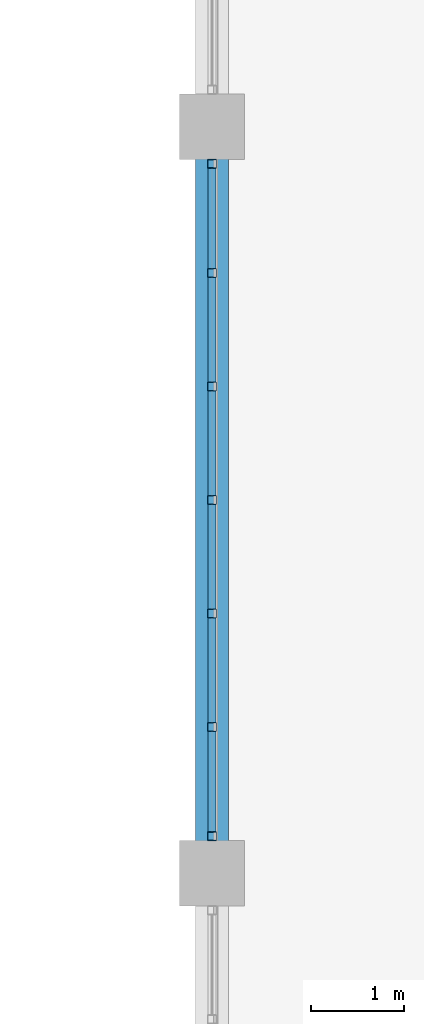
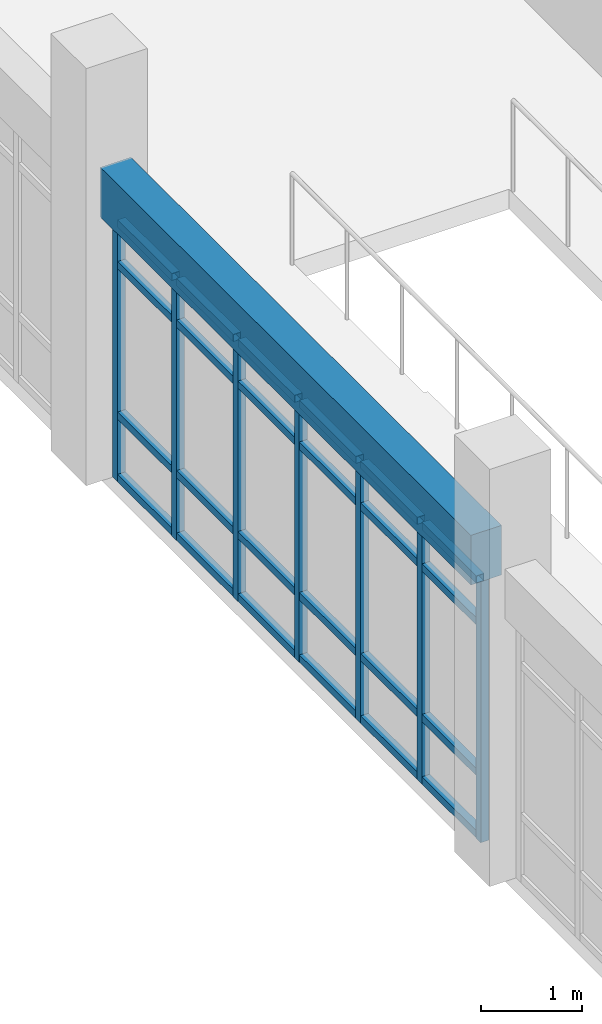
# One storey, part 93 of 159: 31 members, 1 beam, 1 element without a shape of its own.
"""IFC4 building model written with IfcOpenShell, lengths in metres."""

from ifc_helpers import new_model, si_unit, direction, frame, origin, origin_2d, place, context, subcontext, project, spatial, rectangle, hollow_rectangle, extrude, material, material_profile, profile_set, type_object, element, aggregate, save


model = new_model("IFC4")

# Units and contexts
model_context = context("Model", 3, precision=1e-05, world=origin(), true_north=direction((0.0, 1.0)))
body_context = subcontext(model_context, "Body", "Model", "MODEL_VIEW")
ifc_project = project(units=[si_unit("LENGTHUNIT", "METRE"), si_unit("AREAUNIT", "SQUARE_METRE"), si_unit("VOLUMEUNIT", "CUBIC_METRE"), si_unit("PLANEANGLEUNIT", "RADIAN"), si_unit("MASSUNIT", "GRAM", prefix="KILO")], contexts=[model_context])

# Site, building, storey
site_placement = place(None, origin())
site = spatial("IfcSite", under=ifc_project, at=site_placement, CompositionType="ELEMENT")
building_placement = place(site_placement, origin())
building = spatial("IfcBuilding", under=site, at=building_placement, Name="Celadon Cloister-Ring School", CompositionType="ELEMENT")
storey_placement = place(building_placement, frame((0.0, 0.0, 4.5)))
storey = spatial("IfcBuildingStorey", under=building, at=storey_placement, Name="L01", CompositionType="ELEMENT", Elevation=4.5)

# Beam
ifc_material_1 = material(Name="Concrete C35/45", Category="concrete")
ifc_material_profile_1 = material_profile(ifc_material_1, rectangle(XDim=0.35009765625, YDim=0.60009765625, at=origin_2d()), Name="RC350X600")
ifc_profile_set_1 = profile_set([ifc_material_profile_1], Name="Concrete C35/45")
beam_type = type_object("IfcBeamType", Name="BT-02", PredefinedType="BEAM", material=ifc_profile_set_1)
beam_placement = place(storey_placement, frame((142.0, 82.324951171875, 3.47998046875), z_axis=(0.0, 1.0, 0.0), x_axis=(-1.0, 0.0, 0.0)))
element("IfcBeam", 1, at=beam_placement, inside=storey, type_object=beam_type, Name="Beam 1170", PredefinedType="BEAM", context=body_context, shape_type="SweptSolid", body=[
    extrude(rectangle(XDim=0.35009765625, YDim=0.60009765625, at=origin_2d()), origin(), (0.0, 0.0, 1.0), 7.35009765625),
])

# Curtain wall, members
ifc_material_2 = material(Name="Aluminium EN AW-6063 T6", Category="aluminium")
curtain_wall_type = type_object("IfcCurtainWallType", Name="CW-09", PredefinedType="USERDEFINED", material=ifc_material_2)
curtain_wall_placement = place(storey_placement, origin())
curtain_wall = element("IfcCurtainWall", 2, at=curtain_wall_placement, inside=storey, type_object=curtain_wall_type, Name="Curtain Wall 0185", ObjectType="CURTAIN WALL", PredefinedType="USERDEFINED")
ifc_material_3 = material(Name="Aluminium EN AW-6063 T6", Category="aluminium")
ifc_material_profile_2 = material_profile(ifc_material_3, hollow_rectangle(XDim=0.094970703125, YDim=0.094970703125, WallThickness=0.00390625, at=origin_2d()), Name="RHS95X95X4")
ifc_profile_set_2 = profile_set([ifc_material_profile_2], Name="Aluminium EN AW-6063 T6")
member_type_1 = type_object("IfcMemberType", Name="CM-02", PredefinedType="MULLION", material=ifc_profile_set_2)
member_1_placement = place(storey_placement, frame((142.0, 82.3974609375, 0.0), z_axis=(0.0, 0.0, 1.0), x_axis=(-1.0, 0.0, 0.0)))
member_1 = element("IfcMember", 3, at=member_1_placement, type_object=member_type_1, Name="CW-09 mullion 1", PredefinedType="MULLION", context=body_context, shape_type="SweptSolid", body=[
    extrude(hollow_rectangle(XDim=0.094970703125, YDim=0.094970703125, WallThickness=0.00390625, at=origin_2d()), origin(), (0.0, 0.0, 1.0), 3.172119140625),
])
member_2_placement = place(storey_placement, frame((142.0, 83.566650390625, 0.0), z_axis=(0.0, 0.0, 1.0), x_axis=(-1.0, 0.0, 0.0)))
member_2 = element("IfcMember", 4, at=member_2_placement, type_object=member_type_1, Name="CW-09 mullion 2", PredefinedType="MULLION", context=body_context, shape_type="SweptSolid", body=[
    extrude(hollow_rectangle(XDim=0.094970703125, YDim=0.094970703125, WallThickness=0.00390625, at=origin_2d()), origin(), (0.0, 0.0, 1.0), 3.172119140625),
])
member_3_placement = place(storey_placement, frame((142.0, 84.783447265625, 0.0), z_axis=(0.0, 0.0, 1.0), x_axis=(-1.0, 0.0, 0.0)))
member_3 = element("IfcMember", 5, at=member_3_placement, type_object=member_type_1, Name="CW-09 mullion 3", PredefinedType="MULLION", context=body_context, shape_type="SweptSolid", body=[
    extrude(hollow_rectangle(XDim=0.094970703125, YDim=0.094970703125, WallThickness=0.00390625, at=origin_2d()), origin(), (0.0, 0.0, 1.0), 3.172119140625),
])
member_4_placement = place(storey_placement, frame((142.0, 86.0, 0.0), z_axis=(0.0, 0.0, 1.0), x_axis=(-1.0, 0.0, 0.0)))
member_4 = element("IfcMember", 6, at=member_4_placement, type_object=member_type_1, Name="CW-09 mullion 4", PredefinedType="MULLION", context=body_context, shape_type="SweptSolid", body=[
    extrude(hollow_rectangle(XDim=0.094970703125, YDim=0.094970703125, WallThickness=0.00390625, at=origin_2d()), origin(), (0.0, 0.0, 1.0), 3.172119140625),
])
member_5_placement = place(storey_placement, frame((142.0, 87.216552734375, 0.0), z_axis=(0.0, 0.0, 1.0), x_axis=(-1.0, 0.0, 0.0)))
member_5 = element("IfcMember", 7, at=member_5_placement, type_object=member_type_1, Name="CW-09 mullion 5", PredefinedType="MULLION", context=body_context, shape_type="SweptSolid", body=[
    extrude(hollow_rectangle(XDim=0.094970703125, YDim=0.094970703125, WallThickness=0.00390625, at=origin_2d()), origin(), (0.0, 0.0, 1.0), 3.172119140625),
])
member_6_placement = place(storey_placement, frame((142.0, 88.433349609375, 0.0), z_axis=(0.0, 0.0, 1.0), x_axis=(-1.0, 0.0, 0.0)))
member_6 = element("IfcMember", 8, at=member_6_placement, type_object=member_type_1, Name="CW-09 mullion 6", PredefinedType="MULLION", context=body_context, shape_type="SweptSolid", body=[
    extrude(hollow_rectangle(XDim=0.094970703125, YDim=0.094970703125, WallThickness=0.00390625, at=origin_2d()), origin(), (0.0, 0.0, 1.0), 3.172119140625),
])
member_7_placement = place(storey_placement, frame((142.0, 89.6025390625, 0.0), z_axis=(0.0, 0.0, 1.0), x_axis=(-1.0, 0.0, 0.0)))
member_7 = element("IfcMember", 9, at=member_7_placement, type_object=member_type_1, Name="CW-09 mullion 7", PredefinedType="MULLION", context=body_context, shape_type="SweptSolid", body=[
    extrude(hollow_rectangle(XDim=0.094970703125, YDim=0.094970703125, WallThickness=0.00390625, at=origin_2d()), origin(), (0.0, 0.0, 1.0), 3.172119140625),
])
ifc_material_4 = material(Name="Aluminium EN AW-6063 T6", Category="aluminium")
ifc_material_profile_3 = material_profile(ifc_material_4, hollow_rectangle(XDim=0.090087890625, YDim=0.090087890625, WallThickness=0.00390625, at=origin_2d()), Name="RHS90X90X4")
ifc_profile_set_3 = profile_set([ifc_material_profile_3], Name="Aluminium EN AW-6063 T6")
member_type_2 = type_object("IfcMemberType", Name="CTM-02", PredefinedType="USERDEFINED", material=ifc_profile_set_3)
member_8_placement = place(storey_placement, frame((142.0, 82.445068359375, 0.044921875), z_axis=(0.0, 1.0, 0.0), x_axis=(-1.0, 0.0, 0.0)))
member_8 = element("IfcMember", 10, at=member_8_placement, type_object=member_type_2, Name="CW-09 transom 1.1", ObjectType="TRANSOM", PredefinedType="USERDEFINED", context=body_context, shape_type="SweptSolid", body=[
    extrude(hollow_rectangle(XDim=0.090087890625, YDim=0.090087890625, WallThickness=0.00390625, at=origin_2d()), origin(), (0.0, 0.0, 1.0), 1.07421875),
])
member_9_placement = place(storey_placement, frame((142.0, 82.445068359375, 0.800048828125), z_axis=(0.0, 1.0, 0.0), x_axis=(-1.0, 0.0, 0.0)))
member_9 = element("IfcMember", 11, at=member_9_placement, type_object=member_type_2, Name="CW-09 transom 1.2", ObjectType="TRANSOM", PredefinedType="USERDEFINED", context=body_context, shape_type="SweptSolid", body=[
    extrude(hollow_rectangle(XDim=0.090087890625, YDim=0.090087890625, WallThickness=0.00390625, at=origin_2d()), origin(), (0.0, 0.0, 1.0), 1.07421875),
])
member_10_placement = place(storey_placement, frame((142.0, 82.445068359375, 2.6220703125), z_axis=(0.0, 1.0, 0.0), x_axis=(-1.0, 0.0, 0.0)))
member_10 = element("IfcMember", 12, at=member_10_placement, type_object=member_type_2, Name="CW-09 transom 1.3", ObjectType="TRANSOM", PredefinedType="USERDEFINED", context=body_context, shape_type="SweptSolid", body=[
    extrude(hollow_rectangle(XDim=0.090087890625, YDim=0.090087890625, WallThickness=0.00390625, at=origin_2d()), origin(), (0.0, 0.0, 1.0), 1.07421875),
])
member_11_placement = place(storey_placement, frame((142.0, 82.445068359375, 3.126953125), z_axis=(0.0, 1.0, 0.0), x_axis=(-1.0, 0.0, 0.0)))
member_11 = element("IfcMember", 13, at=member_11_placement, type_object=member_type_2, Name="CW-09 transom 1.4", ObjectType="TRANSOM", PredefinedType="USERDEFINED", context=body_context, shape_type="SweptSolid", body=[
    extrude(hollow_rectangle(XDim=0.090087890625, YDim=0.090087890625, WallThickness=0.00390625, at=origin_2d()), origin(), (0.0, 0.0, 1.0), 1.07421875),
])
member_12_placement = place(storey_placement, frame((142.0, 83.6142578125, 0.044921875), z_axis=(0.0, 1.0, 0.0), x_axis=(-1.0, 0.0, 0.0)))
member_12 = element("IfcMember", 14, at=member_12_placement, type_object=member_type_2, Name="CW-09 transom 2.1", ObjectType="TRANSOM", PredefinedType="USERDEFINED", context=body_context, shape_type="SweptSolid", body=[
    extrude(hollow_rectangle(XDim=0.090087890625, YDim=0.090087890625, WallThickness=0.00390625, at=origin_2d()), origin(), (0.0, 0.0, 1.0), 1.12158203125),
])
member_13_placement = place(storey_placement, frame((142.0, 83.6142578125, 0.800048828125), z_axis=(0.0, 1.0, 0.0), x_axis=(-1.0, 0.0, 0.0)))
member_13 = element("IfcMember", 15, at=member_13_placement, type_object=member_type_2, Name="CW-09 transom 2.2", ObjectType="TRANSOM", PredefinedType="USERDEFINED", context=body_context, shape_type="SweptSolid", body=[
    extrude(hollow_rectangle(XDim=0.090087890625, YDim=0.090087890625, WallThickness=0.00390625, at=origin_2d()), origin(), (0.0, 0.0, 1.0), 1.12158203125),
])
member_14_placement = place(storey_placement, frame((142.0, 83.6142578125, 2.6220703125), z_axis=(0.0, 1.0, 0.0), x_axis=(-1.0, 0.0, 0.0)))
member_14 = element("IfcMember", 16, at=member_14_placement, type_object=member_type_2, Name="CW-09 transom 2.3", ObjectType="TRANSOM", PredefinedType="USERDEFINED", context=body_context, shape_type="SweptSolid", body=[
    extrude(hollow_rectangle(XDim=0.090087890625, YDim=0.090087890625, WallThickness=0.00390625, at=origin_2d()), origin(), (0.0, 0.0, 1.0), 1.12158203125),
])
member_15_placement = place(storey_placement, frame((142.0, 83.6142578125, 3.126953125), z_axis=(0.0, 1.0, 0.0), x_axis=(-1.0, 0.0, 0.0)))
member_15 = element("IfcMember", 17, at=member_15_placement, type_object=member_type_2, Name="CW-09 transom 2.4", ObjectType="TRANSOM", PredefinedType="USERDEFINED", context=body_context, shape_type="SweptSolid", body=[
    extrude(hollow_rectangle(XDim=0.090087890625, YDim=0.090087890625, WallThickness=0.00390625, at=origin_2d()), origin(), (0.0, 0.0, 1.0), 1.12158203125),
])
member_16_placement = place(storey_placement, frame((142.0, 84.830810546875, 0.044921875), z_axis=(0.0, 1.0, 0.0), x_axis=(-1.0, 0.0, 0.0)))
member_16 = element("IfcMember", 18, at=member_16_placement, type_object=member_type_2, Name="CW-09 transom 3.1", ObjectType="TRANSOM", PredefinedType="USERDEFINED", context=body_context, shape_type="SweptSolid", body=[
    extrude(hollow_rectangle(XDim=0.090087890625, YDim=0.090087890625, WallThickness=0.00390625, at=origin_2d()), origin(), (0.0, 0.0, 1.0), 1.12158203125),
])
member_17_placement = place(storey_placement, frame((142.0, 84.830810546875, 0.800048828125), z_axis=(0.0, 1.0, 0.0), x_axis=(-1.0, 0.0, 0.0)))
member_17 = element("IfcMember", 19, at=member_17_placement, type_object=member_type_2, Name="CW-09 transom 3.2", ObjectType="TRANSOM", PredefinedType="USERDEFINED", context=body_context, shape_type="SweptSolid", body=[
    extrude(hollow_rectangle(XDim=0.090087890625, YDim=0.090087890625, WallThickness=0.00390625, at=origin_2d()), origin(), (0.0, 0.0, 1.0), 1.12158203125),
])
member_18_placement = place(storey_placement, frame((142.0, 84.830810546875, 2.6220703125), z_axis=(0.0, 1.0, 0.0), x_axis=(-1.0, 0.0, 0.0)))
member_18 = element("IfcMember", 20, at=member_18_placement, type_object=member_type_2, Name="CW-09 transom 3.3", ObjectType="TRANSOM", PredefinedType="USERDEFINED", context=body_context, shape_type="SweptSolid", body=[
    extrude(hollow_rectangle(XDim=0.090087890625, YDim=0.090087890625, WallThickness=0.00390625, at=origin_2d()), origin(), (0.0, 0.0, 1.0), 1.12158203125),
])
member_19_placement = place(storey_placement, frame((142.0, 84.830810546875, 3.126953125), z_axis=(0.0, 1.0, 0.0), x_axis=(-1.0, 0.0, 0.0)))
member_19 = element("IfcMember", 21, at=member_19_placement, type_object=member_type_2, Name="CW-09 transom 3.4", ObjectType="TRANSOM", PredefinedType="USERDEFINED", context=body_context, shape_type="SweptSolid", body=[
    extrude(hollow_rectangle(XDim=0.090087890625, YDim=0.090087890625, WallThickness=0.00390625, at=origin_2d()), origin(), (0.0, 0.0, 1.0), 1.12158203125),
])
member_20_placement = place(storey_placement, frame((142.0, 86.047607421875, 0.044921875), z_axis=(0.0, 1.0, 0.0), x_axis=(-1.0, 0.0, 0.0)))
member_20 = element("IfcMember", 22, at=member_20_placement, type_object=member_type_2, Name="CW-09 transom 4.1", ObjectType="TRANSOM", PredefinedType="USERDEFINED", context=body_context, shape_type="SweptSolid", body=[
    extrude(hollow_rectangle(XDim=0.090087890625, YDim=0.090087890625, WallThickness=0.00390625, at=origin_2d()), origin(), (0.0, 0.0, 1.0), 1.12158203125),
])
member_21_placement = place(storey_placement, frame((142.0, 86.047607421875, 0.800048828125), z_axis=(0.0, 1.0, 0.0), x_axis=(-1.0, 0.0, 0.0)))
member_21 = element("IfcMember", 23, at=member_21_placement, type_object=member_type_2, Name="CW-09 transom 4.2", ObjectType="TRANSOM", PredefinedType="USERDEFINED", context=body_context, shape_type="SweptSolid", body=[
    extrude(hollow_rectangle(XDim=0.090087890625, YDim=0.090087890625, WallThickness=0.00390625, at=origin_2d()), origin(), (0.0, 0.0, 1.0), 1.12158203125),
])
member_22_placement = place(storey_placement, frame((142.0, 86.047607421875, 2.6220703125), z_axis=(0.0, 1.0, 0.0), x_axis=(-1.0, 0.0, 0.0)))
member_22 = element("IfcMember", 24, at=member_22_placement, type_object=member_type_2, Name="CW-09 transom 4.3", ObjectType="TRANSOM", PredefinedType="USERDEFINED", context=body_context, shape_type="SweptSolid", body=[
    extrude(hollow_rectangle(XDim=0.090087890625, YDim=0.090087890625, WallThickness=0.00390625, at=origin_2d()), origin(), (0.0, 0.0, 1.0), 1.12158203125),
])
member_23_placement = place(storey_placement, frame((142.0, 86.047607421875, 3.126953125), z_axis=(0.0, 1.0, 0.0), x_axis=(-1.0, 0.0, 0.0)))
member_23 = element("IfcMember", 25, at=member_23_placement, type_object=member_type_2, Name="CW-09 transom 4.4", ObjectType="TRANSOM", PredefinedType="USERDEFINED", context=body_context, shape_type="SweptSolid", body=[
    extrude(hollow_rectangle(XDim=0.090087890625, YDim=0.090087890625, WallThickness=0.00390625, at=origin_2d()), origin(), (0.0, 0.0, 1.0), 1.12158203125),
])
member_24_placement = place(storey_placement, frame((142.0, 87.26416015625, 0.044921875), z_axis=(0.0, 1.0, 0.0), x_axis=(-1.0, 0.0, 0.0)))
member_24 = element("IfcMember", 26, at=member_24_placement, type_object=member_type_2, Name="CW-09 transom 5.1", ObjectType="TRANSOM", PredefinedType="USERDEFINED", context=body_context, shape_type="SweptSolid", body=[
    extrude(hollow_rectangle(XDim=0.090087890625, YDim=0.090087890625, WallThickness=0.00390625, at=origin_2d()), origin(), (0.0, 0.0, 1.0), 1.12158203125),
])
member_25_placement = place(storey_placement, frame((142.0, 87.26416015625, 0.800048828125), z_axis=(0.0, 1.0, 0.0), x_axis=(-1.0, 0.0, 0.0)))
member_25 = element("IfcMember", 27, at=member_25_placement, type_object=member_type_2, Name="CW-09 transom 5.2", ObjectType="TRANSOM", PredefinedType="USERDEFINED", context=body_context, shape_type="SweptSolid", body=[
    extrude(hollow_rectangle(XDim=0.090087890625, YDim=0.090087890625, WallThickness=0.00390625, at=origin_2d()), origin(), (0.0, 0.0, 1.0), 1.12158203125),
])
member_26_placement = place(storey_placement, frame((142.0, 87.26416015625, 2.6220703125), z_axis=(0.0, 1.0, 0.0), x_axis=(-1.0, 0.0, 0.0)))
member_26 = element("IfcMember", 28, at=member_26_placement, type_object=member_type_2, Name="CW-09 transom 5.3", ObjectType="TRANSOM", PredefinedType="USERDEFINED", context=body_context, shape_type="SweptSolid", body=[
    extrude(hollow_rectangle(XDim=0.090087890625, YDim=0.090087890625, WallThickness=0.00390625, at=origin_2d()), origin(), (0.0, 0.0, 1.0), 1.12158203125),
])
member_27_placement = place(storey_placement, frame((142.0, 87.26416015625, 3.126953125), z_axis=(0.0, 1.0, 0.0), x_axis=(-1.0, 0.0, 0.0)))
member_27 = element("IfcMember", 29, at=member_27_placement, type_object=member_type_2, Name="CW-09 transom 5.4", ObjectType="TRANSOM", PredefinedType="USERDEFINED", context=body_context, shape_type="SweptSolid", body=[
    extrude(hollow_rectangle(XDim=0.090087890625, YDim=0.090087890625, WallThickness=0.00390625, at=origin_2d()), origin(), (0.0, 0.0, 1.0), 1.12158203125),
])
member_28_placement = place(storey_placement, frame((142.0, 88.480712890625, 0.044921875), z_axis=(0.0, 1.0, 0.0), x_axis=(-1.0, 0.0, 0.0)))
member_28 = element("IfcMember", 30, at=member_28_placement, type_object=member_type_2, Name="CW-09 transom 6.1", ObjectType="TRANSOM", PredefinedType="USERDEFINED", context=body_context, shape_type="SweptSolid", body=[
    extrude(hollow_rectangle(XDim=0.090087890625, YDim=0.090087890625, WallThickness=0.00390625, at=origin_2d()), origin(), (0.0, 0.0, 1.0), 1.07421875),
])
member_29_placement = place(storey_placement, frame((142.0, 88.480712890625, 0.800048828125), z_axis=(0.0, 1.0, 0.0), x_axis=(-1.0, 0.0, 0.0)))
member_29 = element("IfcMember", 31, at=member_29_placement, type_object=member_type_2, Name="CW-09 transom 6.2", ObjectType="TRANSOM", PredefinedType="USERDEFINED", context=body_context, shape_type="SweptSolid", body=[
    extrude(hollow_rectangle(XDim=0.090087890625, YDim=0.090087890625, WallThickness=0.00390625, at=origin_2d()), origin(), (0.0, 0.0, 1.0), 1.07421875),
])
member_30_placement = place(storey_placement, frame((142.0, 88.480712890625, 2.6220703125), z_axis=(0.0, 1.0, 0.0), x_axis=(-1.0, 0.0, 0.0)))
member_30 = element("IfcMember", 32, at=member_30_placement, type_object=member_type_2, Name="CW-09 transom 6.3", ObjectType="TRANSOM", PredefinedType="USERDEFINED", context=body_context, shape_type="SweptSolid", body=[
    extrude(hollow_rectangle(XDim=0.090087890625, YDim=0.090087890625, WallThickness=0.00390625, at=origin_2d()), origin(), (0.0, 0.0, 1.0), 1.07421875),
])
member_31_placement = place(storey_placement, frame((142.0, 88.480712890625, 3.126953125), z_axis=(0.0, 1.0, 0.0), x_axis=(-1.0, 0.0, 0.0)))
member_31 = element("IfcMember", 33, at=member_31_placement, type_object=member_type_2, Name="CW-09 transom 6.4", ObjectType="TRANSOM", PredefinedType="USERDEFINED", context=body_context, shape_type="SweptSolid", body=[
    extrude(hollow_rectangle(XDim=0.090087890625, YDim=0.090087890625, WallThickness=0.00390625, at=origin_2d()), origin(), (0.0, 0.0, 1.0), 1.07421875),
])
aggregate(curtain_wall, [member_1, member_2, member_3, member_4, member_5, member_6, member_7, member_8, member_9, member_10, member_11, member_12, member_13, member_14, member_15, member_16, member_17, member_18, member_19, member_20, member_21, member_22, member_23, member_24, member_25, member_26, member_27, member_28, member_29, member_30, member_31])

save(model, "model.ifc")
